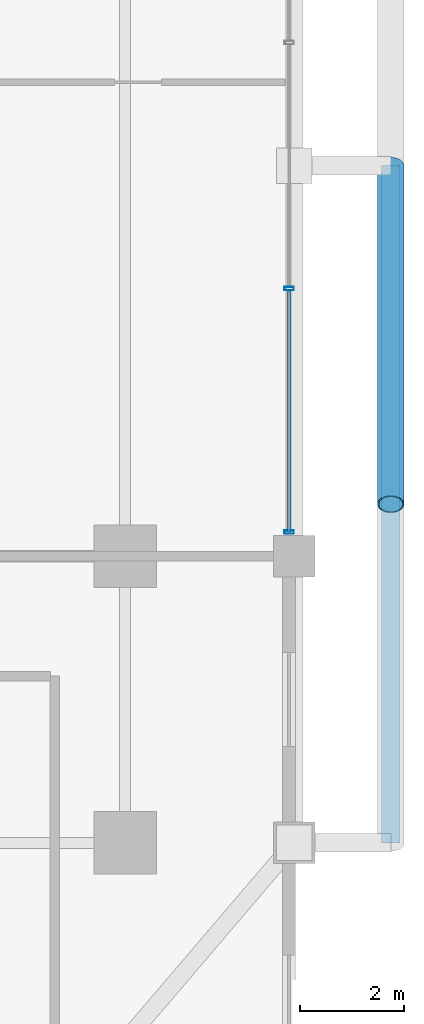
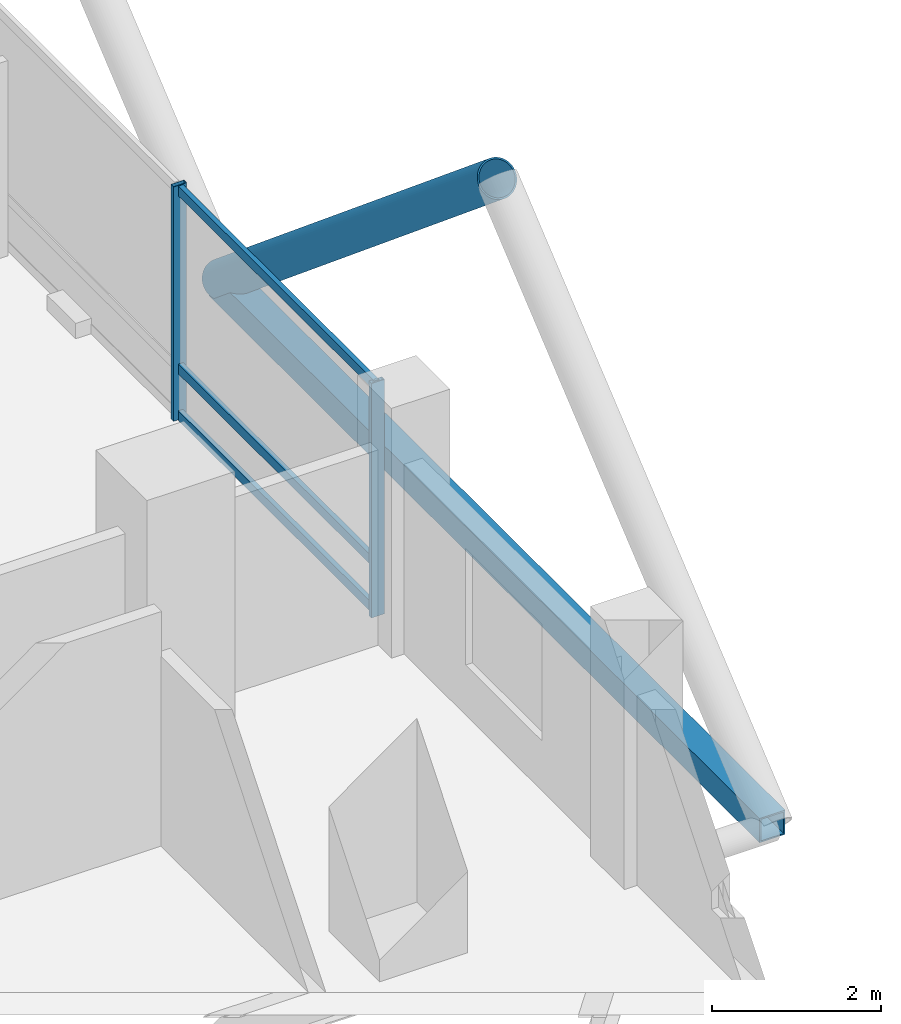
# One storey, part 9 of 24: 7 members, 1 element without a shape of its own.
"""IFC4 building model written with IfcOpenShell, lengths in metres."""

from ifc_helpers import new_model, si_unit, direction, frame, origin, origin_2d, place, context, subcontext, project, spatial, hollow_rectangle, hollow_circle, extrude, material, layer, layer_set, material_profile, profile_set, type_object, element, aggregate, save


model = new_model("IFC4")

# Units and contexts
model_context = context("Model", 3, precision=1e-05, world=origin(), true_north=direction((0.0, 1.0)))
body_context = subcontext(model_context, "Body", "Model", "MODEL_VIEW")
ifc_project = project(units=[si_unit("LENGTHUNIT", "METRE"), si_unit("AREAUNIT", "SQUARE_METRE"), si_unit("VOLUMEUNIT", "CUBIC_METRE"), si_unit("PLANEANGLEUNIT", "RADIAN"), si_unit("MASSUNIT", "GRAM", prefix="KILO")], contexts=[model_context])

# Site, building, storey
site_placement = place(None, origin())
site = spatial("IfcSite", under=ifc_project, at=site_placement, CompositionType="ELEMENT")
building_placement = place(site_placement, origin())
building = spatial("IfcBuilding", under=site, at=building_placement, Name="Barlavira Tower and Art Museum", CompositionType="ELEMENT")
storey_placement = place(building_placement, frame((0.0, 0.0, 154.800048828125)))
storey = spatial("IfcBuildingStorey", under=building, at=storey_placement, Name="L39", CompositionType="ELEMENT", Elevation=154.800048828125)

# Curtain wall, members
ifc_material_1 = material(Name="Low-iron coastal laminated glass", Category="glass")
ifc_layer = layer(ifc_material_1, 0.18994140625, Name="Low-iron coastal laminated glass")
ifc_layer_set = layer_set([ifc_layer], Name="Low-iron coastal laminated glass")
curtain_wall_type = type_object("IfcCurtainWallType", Name="Pale-Metal Unitised Curtain Wall Zone 2", PredefinedType="NOTDEFINED", material=ifc_layer_set)
curtain_wall_placement = place(storey_placement, origin())
curtain_wall = element("IfcCurtainWall", 1, at=curtain_wall_placement, inside=storey, type_object=curtain_wall_type, Name="L39 Curtain Wall CW2-L39-E-B3", PredefinedType="NOTDEFINED")
ifc_material_2 = material(Name="Pale anodised aluminium", Category="aluminium")
ifc_material_profile_1 = material_profile(ifc_material_2, hollow_rectangle(XDim=0.06494140625, YDim=0.179931640625, WallThickness=0.00390625, at=origin_2d()), Name="ALU-MULL 65x180x4")
ifc_profile_set_1 = profile_set([ifc_material_profile_1], Name="Pale anodised aluminium")
member_type_1 = type_object("IfcMemberType", Name="Curtain Wall Pale-Metal Mullion 65x180", PredefinedType="MULLION", material=ifc_profile_set_1)
member_1_placement = place(storey_placement, frame((20.14990234375, -7.034912109375, 0.0), z_axis=(0.0, 0.0, 1.0), x_axis=(0.0, 1.0, 0.0)))
member_1 = element("IfcMember", 2, at=member_1_placement, type_object=member_type_1, Name="CW2-L39-E-B3 Mullion 0", PredefinedType="MULLION", context=body_context, shape_type="SweptSolid", body=[
    extrude(hollow_rectangle(XDim=0.06494140625, YDim=0.179931640625, WallThickness=0.00390625, at=origin_2d()), origin(), (0.0, 0.0, 1.0), 3.3798828125),
])
member_2_placement = place(storey_placement, frame((20.14990234375, -2.360107421875, 0.0), z_axis=(0.0, 0.0, 1.0), x_axis=(0.0, 1.0, 0.0)))
member_2 = element("IfcMember", 3, at=member_2_placement, type_object=member_type_1, Name="CW2-L39-E-B3 Mullion 1", PredefinedType="MULLION", context=body_context, shape_type="SweptSolid", body=[
    extrude(hollow_rectangle(XDim=0.06494140625, YDim=0.179931640625, WallThickness=0.00390625, at=origin_2d()), origin(), (0.0, 0.0, 1.0), 3.3798828125),
])
ifc_material_profile_2 = material_profile(ifc_material_2, hollow_rectangle(XDim=0.06494140625, YDim=0.139892578125, WallThickness=0.00390625, at=origin_2d()), Name="ALU-TRAN 65x140x4")
ifc_profile_set_2 = profile_set([ifc_material_profile_2], Name="Pale anodised aluminium")
member_type_2 = type_object("IfcMemberType", Name="Curtain Wall Pale-Metal Transom 65x140", PredefinedType="USERDEFINED", material=ifc_profile_set_2)
member_3_placement = place(storey_placement, frame((20.14990234375, -7.034912109375, 0.070068359375), z_axis=(0.0, 1.0, 0.0), x_axis=(-1.0, 0.0, 0.0)))
member_3 = element("IfcMember", 4, at=member_3_placement, type_object=member_type_2, Name="CW2-L39-E-B3 Transom 0.1", ObjectType="TRANSOM", PredefinedType="USERDEFINED", context=body_context, shape_type="SweptSolid", body=[
    extrude(hollow_rectangle(XDim=0.06494140625, YDim=0.139892578125, WallThickness=0.00390625, at=origin_2d()), origin(), (0.0, 0.0, 1.0), 4.6298828125),
])
member_4_placement = place(storey_placement, frame((20.14990234375, -7.034912109375, 0.743896484375), z_axis=(0.0, 1.0, 0.0), x_axis=(-1.0, 0.0, 0.0)))
member_4 = element("IfcMember", 5, at=member_4_placement, type_object=member_type_2, Name="CW2-L39-E-B3 Transom 0.2", ObjectType="TRANSOM", PredefinedType="USERDEFINED", context=body_context, shape_type="SweptSolid", body=[
    extrude(hollow_rectangle(XDim=0.06494140625, YDim=0.139892578125, WallThickness=0.00390625, at=origin_2d()), origin(), (0.0, 0.0, 1.0), 4.6298828125),
])
member_5_placement = place(storey_placement, frame((20.14990234375, -7.034912109375, 3.31005859375), z_axis=(0.0, 1.0, 0.0), x_axis=(-1.0, 0.0, 0.0)))
member_5 = element("IfcMember", 6, at=member_5_placement, type_object=member_type_2, Name="CW2-L39-E-B3 Transom 0.3", ObjectType="TRANSOM", PredefinedType="USERDEFINED", context=body_context, shape_type="SweptSolid", body=[
    extrude(hollow_rectangle(XDim=0.06494140625, YDim=0.139892578125, WallThickness=0.00390625, at=origin_2d()), origin(), (0.0, 0.0, 1.0), 4.6298828125),
])
aggregate(curtain_wall, [member_1, member_2, member_3, member_4, member_5])

# Members
ifc_material_3 = material(Name="Steel S355", Category="steel")
ifc_material_profile_3 = material_profile(ifc_material_3, hollow_circle(Radius=0.25390625, WallThickness=0.022216796875, at=origin_2d()), Name="CHS 508.0x22.2")
ifc_profile_set_3 = profile_set([ifc_material_profile_3], Name="Steel S355")
member_type_3 = type_object("IfcMemberType", Name="Pale-Metal Exoskeleton Diagrid Tube CHS 508x22 Steel S355", PredefinedType="BRACE", material=ifc_profile_set_3)
member_6_placement = place(storey_placement, frame((22.10009765625, 0.0, -0.1201171875), z_axis=(0.0, -0.76918185268, 0.639029950399), x_axis=(1.0, 0.0, 0.0)))
element("IfcMember", 7, at=member_6_placement, inside=storey, type_object=member_type_3, Name="L39 Exoskeleton Diagrid Tube E", PredefinedType="BRACE", context=body_context, shape_type="SweptSolid", body=[
    extrude(hollow_circle(Radius=0.25390625, WallThickness=0.022216796875, at=origin_2d()), origin(), (0.0, 0.0, 1.0), 8.450439453125),
])
ifc_material_profile_4 = material_profile(ifc_material_3, hollow_rectangle(XDim=0.35009765625, YDim=0.35009765625, WallThickness=0.02001953125, at=origin_2d()), Name="SHS 350x350x20.0")
ifc_profile_set_4 = profile_set([ifc_material_profile_4], Name="Steel S355")
member_type_4 = type_object("IfcMemberType", Name="Pale-Metal Exoskeleton Ring Strut SHS 350x350x20 Steel S355", PredefinedType="STRUT", material=ifc_profile_set_4)
member_7_placement = place(storey_placement, frame((22.10009765625, -13.0, -0.1201171875), z_axis=(0.0, 1.0, 0.0), x_axis=(-1.0, 0.0, 0.0)))
element("IfcMember", 8, at=member_7_placement, inside=storey, type_object=member_type_4, Name="L39 Exoskeleton Ring Strut E", PredefinedType="STRUT", context=body_context, shape_type="SweptSolid", body=[
    extrude(hollow_rectangle(XDim=0.35009765625, YDim=0.35009765625, WallThickness=0.02001953125, at=origin_2d()), origin(), (0.0, 0.0, 1.0), 13.0),
])

save(model, "model.ifc")
